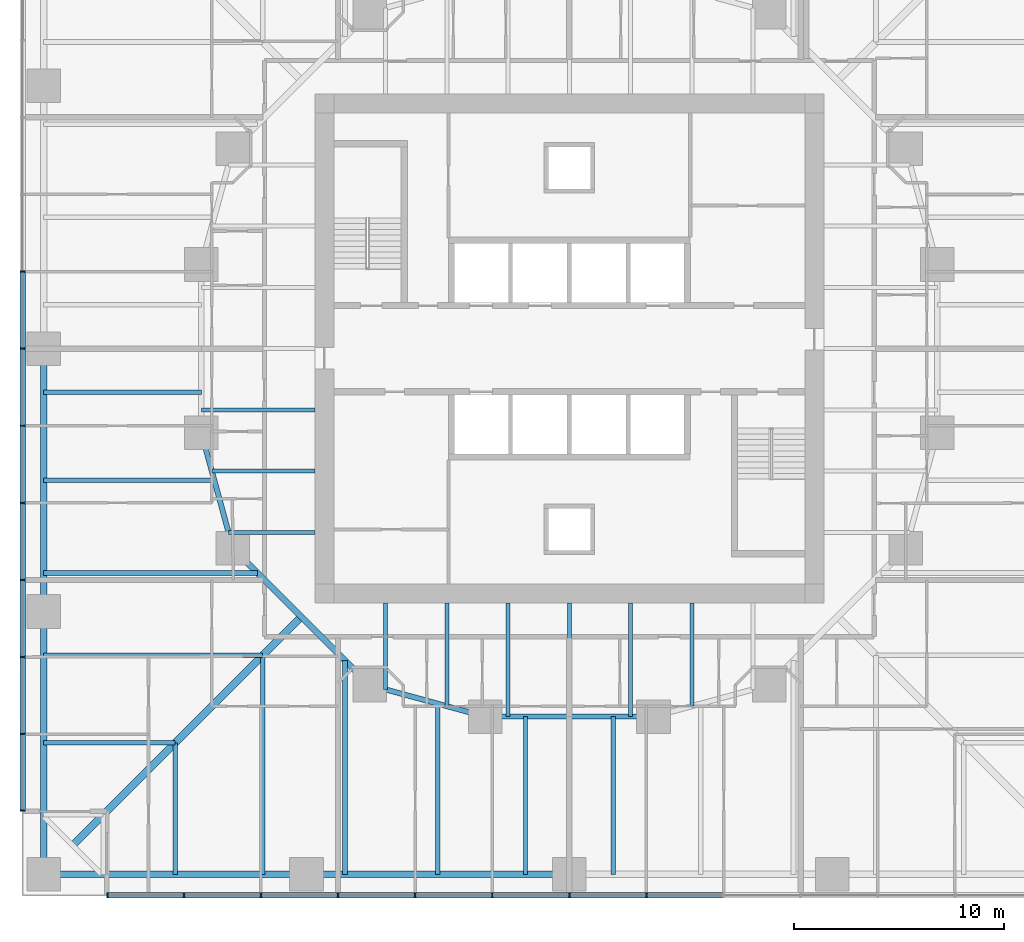
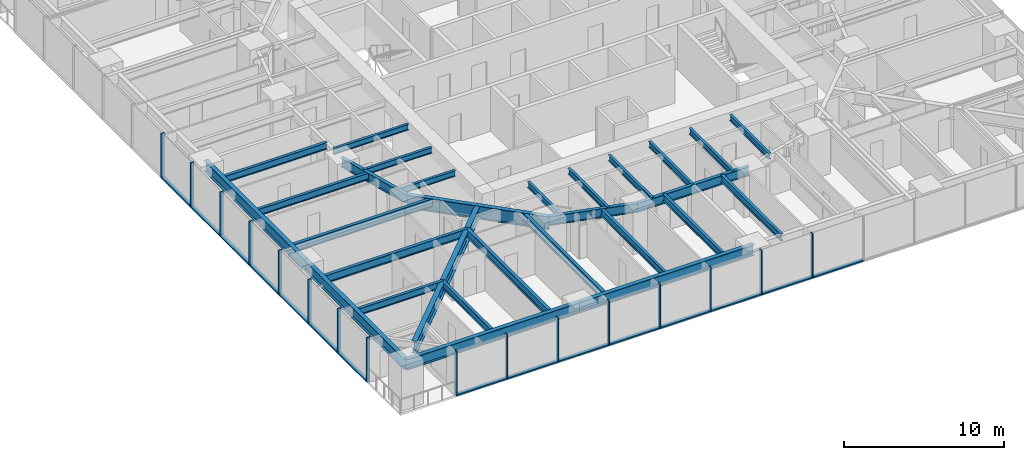
# One storey, part 2 of 17: 31 members, 29 beams, 2 elements without a shape of their own.
"""IFC4 building model written with IfcOpenShell, lengths in metres."""

from ifc_helpers import new_model, si_unit, direction, frame, origin, origin_2d, place, context, subcontext, project, spatial, rectangle, i_section, extrude, material, material_profile, profile_set, type_object, element, aggregate, save


model = new_model("IFC4")

# Units and contexts
model_context = context("Model", 3, precision=1e-05, world=origin(), true_north=direction((0.0, 1.0)))
body_context = subcontext(model_context, "Body", "Model", "MODEL_VIEW")
ifc_project = project(units=[si_unit("LENGTHUNIT", "METRE"), si_unit("AREAUNIT", "SQUARE_METRE"), si_unit("VOLUMEUNIT", "CUBIC_METRE"), si_unit("PLANEANGLEUNIT", "RADIAN"), si_unit("MASSUNIT", "GRAM", prefix="KILO")], contexts=[model_context])

# Site, building, storey
site_placement = place(None, origin())
site = spatial("IfcSite", under=ifc_project, at=site_placement, CompositionType="ELEMENT")
building_placement = place(site_placement, origin())
building = spatial("IfcBuilding", under=site, at=building_placement, Name="Torsade Residences", CompositionType="ELEMENT")
storey_placement = place(building_placement, frame((0.0, 0.0, 21.800048828125)))
storey = spatial("IfcBuildingStorey", under=building, at=storey_placement, Name="L05", CompositionType="ELEMENT", Elevation=21.800048828125)

# Beam
ifc_material_1 = material(Name="Steel grade 300", Category="steel")
ifc_material_profile_1 = material_profile(ifc_material_1, i_section(OverallWidth=0.35009765625, OverallDepth=0.909912109375, WebThickness=0.011962890625, FlangeThickness=0.02490234375, at=origin_2d()), Name="900WB218")
ifc_profile_set_1 = profile_set([ifc_material_profile_1], Name="Steel grade 300")
beam_type_1 = type_object("IfcBeamType", Name="CORNER GIRDER 900WB218", PredefinedType="BEAM", material=ifc_profile_set_1)
beam_1_placement = place(storey_placement, frame((16.375, 6.375, 2.794921875), z_axis=(0.707106781187, 0.707106781187, 0.0), x_axis=(-0.707106781187, 0.707106781187, 0.0)))
element("IfcBeam", 1, at=beam_1_placement, inside=storey, type_object=beam_type_1, Name="Corner girder 01 L06", PredefinedType="BEAM", context=body_context, shape_type="SweptSolid", body=[
    extrude(i_section(OverallWidth=0.35009765625, OverallDepth=0.909912109375, WebThickness=0.011962890625, FlangeThickness=0.02490234375, at=origin_2d()), origin(), (0.0, 0.0, 1.0), 15.379638671875),
])

# Curtain wall, members
ifc_material_2 = material(Name="Aluminium and glass", Category="aluminium")
curtain_wall_type = type_object("IfcCurtainWallType", Name="FRITTED GLASS CURTAIN WALL LOW ZONE", PredefinedType="NOTDEFINED", material=ifc_material_2)
curtain_wall_1_placement = place(storey_placement, origin())
curtain_wall_1 = element("IfcCurtainWall", 2, at=curtain_wall_1_placement, inside=storey, type_object=curtain_wall_type, Name="Curtain wall L05 face 1", PredefinedType="NOTDEFINED")
ifc_material_3 = material(Name="Aluminium mullion", Category="aluminium")
ifc_material_profile_2 = material_profile(ifc_material_3, rectangle(XDim=0.25, YDim=0.06494140625, at=origin_2d()), Name="CURTAIN WALL MULLION 250x65")
ifc_profile_set_2 = profile_set([ifc_material_profile_2], Name="Aluminium mullion")
member_type_1 = type_object("IfcMemberType", Name="CURTAIN WALL MULLION 250x65", PredefinedType="MULLION", material=ifc_profile_set_2)
member_1_placement = place(storey_placement, frame((18.032470703125, 4.0, 0.0), z_axis=(0.0, 0.0, 1.0), x_axis=(0.0, 1.0, 0.0)))
member_1 = element("IfcMember", 3, at=member_1_placement, type_object=member_type_1, Name="Mullion 1", PredefinedType="MULLION", context=body_context, shape_type="SweptSolid", body=[
    extrude(rectangle(XDim=0.25, YDim=0.06494140625, at=origin_2d()), origin(), (0.0, 0.0, 1.0), 3.39990234375),
])
member_2_placement = place(storey_placement, frame((21.666748046875, 4.0, 0.0), z_axis=(0.0, 0.0, 1.0), x_axis=(0.0, 1.0, 0.0)))
member_2 = element("IfcMember", 4, at=member_2_placement, type_object=member_type_1, Name="Mullion 2", PredefinedType="MULLION", context=body_context, shape_type="SweptSolid", body=[
    extrude(rectangle(XDim=0.25, YDim=0.06494140625, at=origin_2d()), origin(), (0.0, 0.0, 1.0), 3.39990234375),
])
member_3_placement = place(storey_placement, frame((25.333251953125, 4.0, 0.0), z_axis=(0.0, 0.0, 1.0), x_axis=(0.0, 1.0, 0.0)))
member_3 = element("IfcMember", 5, at=member_3_placement, type_object=member_type_1, Name="Mullion 3", PredefinedType="MULLION", context=body_context, shape_type="SweptSolid", body=[
    extrude(rectangle(XDim=0.25, YDim=0.06494140625, at=origin_2d()), origin(), (0.0, 0.0, 1.0), 3.39990234375),
])
member_4_placement = place(storey_placement, frame((29.0, 4.0, 0.0), z_axis=(0.0, 0.0, 1.0), x_axis=(0.0, 1.0, 0.0)))
member_4 = element("IfcMember", 6, at=member_4_placement, type_object=member_type_1, Name="Mullion 4", PredefinedType="MULLION", context=body_context, shape_type="SweptSolid", body=[
    extrude(rectangle(XDim=0.25, YDim=0.06494140625, at=origin_2d()), origin(), (0.0, 0.0, 1.0), 3.39990234375),
])
member_5_placement = place(storey_placement, frame((32.666748046875, 4.0, 0.0), z_axis=(0.0, 0.0, 1.0), x_axis=(0.0, 1.0, 0.0)))
member_5 = element("IfcMember", 7, at=member_5_placement, type_object=member_type_1, Name="Mullion 5", PredefinedType="MULLION", context=body_context, shape_type="SweptSolid", body=[
    extrude(rectangle(XDim=0.25, YDim=0.06494140625, at=origin_2d()), origin(), (0.0, 0.0, 1.0), 3.39990234375),
])
member_6_placement = place(storey_placement, frame((36.333251953125, 4.0, 0.0), z_axis=(0.0, 0.0, 1.0), x_axis=(0.0, 1.0, 0.0)))
member_6 = element("IfcMember", 8, at=member_6_placement, type_object=member_type_1, Name="Mullion 6", PredefinedType="MULLION", context=body_context, shape_type="SweptSolid", body=[
    extrude(rectangle(XDim=0.25, YDim=0.06494140625, at=origin_2d()), origin(), (0.0, 0.0, 1.0), 3.39990234375),
])
member_7_placement = place(storey_placement, frame((40.0, 4.0, 0.0), z_axis=(0.0, 0.0, 1.0), x_axis=(0.0, 1.0, 0.0)))
member_7 = element("IfcMember", 9, at=member_7_placement, type_object=member_type_1, Name="Mullion 7", PredefinedType="MULLION", context=body_context, shape_type="SweptSolid", body=[
    extrude(rectangle(XDim=0.25, YDim=0.06494140625, at=origin_2d()), origin(), (0.0, 0.0, 1.0), 3.39990234375),
])
member_8_placement = place(storey_placement, frame((43.666748046875, 4.0, 0.0), z_axis=(0.0, 0.0, 1.0), x_axis=(0.0, 1.0, 0.0)))
member_8 = element("IfcMember", 10, at=member_8_placement, type_object=member_type_1, Name="Mullion 8", PredefinedType="MULLION", context=body_context, shape_type="SweptSolid", body=[
    extrude(rectangle(XDim=0.25, YDim=0.06494140625, at=origin_2d()), origin(), (0.0, 0.0, 1.0), 3.39990234375),
])

curtain_wall_2_placement = place(storey_placement, origin())
curtain_wall_2 = element("IfcCurtainWall", 11, at=curtain_wall_2_placement, inside=storey, type_object=curtain_wall_type, Name="Curtain wall L05 face 10", PredefinedType="NOTDEFINED")
member_9_placement = place(storey_placement, frame((14.0, 33.666748046875, 0.0), z_axis=(0.0, 0.0, 1.0), x_axis=(1.0, 0.0, 0.0)))
member_9 = element("IfcMember", 12, at=member_9_placement, type_object=member_type_1, Name="Mullion 6", PredefinedType="MULLION", context=body_context, shape_type="SweptSolid", body=[
    extrude(rectangle(XDim=0.25, YDim=0.06494140625, at=origin_2d()), origin(), (0.0, 0.0, 1.0), 3.39990234375),
])
member_10_placement = place(storey_placement, frame((14.0, 30.0, 0.0), z_axis=(0.0, 0.0, 1.0), x_axis=(1.0, 0.0, 0.0)))
member_10 = element("IfcMember", 13, at=member_10_placement, type_object=member_type_1, Name="Mullion 7", PredefinedType="MULLION", context=body_context, shape_type="SweptSolid", body=[
    extrude(rectangle(XDim=0.25, YDim=0.06494140625, at=origin_2d()), origin(), (0.0, 0.0, 1.0), 3.39990234375),
])
member_11_placement = place(storey_placement, frame((14.0, 26.333251953125, 0.0), z_axis=(0.0, 0.0, 1.0), x_axis=(1.0, 0.0, 0.0)))
member_11 = element("IfcMember", 14, at=member_11_placement, type_object=member_type_1, Name="Mullion 8", PredefinedType="MULLION", context=body_context, shape_type="SweptSolid", body=[
    extrude(rectangle(XDim=0.25, YDim=0.06494140625, at=origin_2d()), origin(), (0.0, 0.0, 1.0), 3.39990234375),
])
member_12_placement = place(storey_placement, frame((14.0, 22.666748046875, 0.0), z_axis=(0.0, 0.0, 1.0), x_axis=(1.0, 0.0, 0.0)))
member_12 = element("IfcMember", 15, at=member_12_placement, type_object=member_type_1, Name="Mullion 9", PredefinedType="MULLION", context=body_context, shape_type="SweptSolid", body=[
    extrude(rectangle(XDim=0.25, YDim=0.06494140625, at=origin_2d()), origin(), (0.0, 0.0, 1.0), 3.39990234375),
])
member_13_placement = place(storey_placement, frame((14.0, 19.0, 0.0), z_axis=(0.0, 0.0, 1.0), x_axis=(1.0, 0.0, 0.0)))
member_13 = element("IfcMember", 16, at=member_13_placement, type_object=member_type_1, Name="Mullion 10", PredefinedType="MULLION", context=body_context, shape_type="SweptSolid", body=[
    extrude(rectangle(XDim=0.25, YDim=0.06494140625, at=origin_2d()), origin(), (0.0, 0.0, 1.0), 3.39990234375),
])
member_14_placement = place(storey_placement, frame((14.0, 15.333251953125, 0.0), z_axis=(0.0, 0.0, 1.0), x_axis=(1.0, 0.0, 0.0)))
member_14 = element("IfcMember", 17, at=member_14_placement, type_object=member_type_1, Name="Mullion 11", PredefinedType="MULLION", context=body_context, shape_type="SweptSolid", body=[
    extrude(rectangle(XDim=0.25, YDim=0.06494140625, at=origin_2d()), origin(), (0.0, 0.0, 1.0), 3.39990234375),
])
member_15_placement = place(storey_placement, frame((14.0, 11.666748046875, 0.0), z_axis=(0.0, 0.0, 1.0), x_axis=(1.0, 0.0, 0.0)))
member_15 = element("IfcMember", 18, at=member_15_placement, type_object=member_type_1, Name="Mullion 12", PredefinedType="MULLION", context=body_context, shape_type="SweptSolid", body=[
    extrude(rectangle(XDim=0.25, YDim=0.06494140625, at=origin_2d()), origin(), (0.0, 0.0, 1.0), 3.39990234375),
])
member_16_placement = place(storey_placement, frame((14.0, 8.032470703125, 0.0), z_axis=(0.0, 0.0, 1.0), x_axis=(1.0, 0.0, 0.0)))
member_16 = element("IfcMember", 19, at=member_16_placement, type_object=member_type_1, Name="Mullion 13", PredefinedType="MULLION", context=body_context, shape_type="SweptSolid", body=[
    extrude(rectangle(XDim=0.25, YDim=0.06494140625, at=origin_2d()), origin(), (0.0, 0.0, 1.0), 3.39990234375),
])

# Member
ifc_material_4 = material(Name="Aluminium transom", Category="aluminium")
ifc_material_profile_3 = material_profile(ifc_material_4, rectangle(XDim=0.25, YDim=0.10009765625, at=origin_2d()), Name="CURTAIN WALL TRANSOM 250x100")
ifc_profile_set_3 = profile_set([ifc_material_profile_3], Name="Aluminium transom")
member_type_2 = type_object("IfcMemberType", Name="CURTAIN WALL TRANSOM 250x100", PredefinedType="USERDEFINED", material=ifc_profile_set_3)
member_17_placement = place(storey_placement, frame((18.06494140625, 4.0, 0.050048828125), z_axis=(1.0, 0.0, 0.0), x_axis=(0.0, 1.0, 0.0)))
member_17 = element("IfcMember", 20, at=member_17_placement, type_object=member_type_2, Name="Transom 1.1", ObjectType="TRANSOM", PredefinedType="USERDEFINED", context=body_context, shape_type="SweptSolid", body=[
    extrude(rectangle(XDim=0.25, YDim=0.10009765625, at=origin_2d()), origin(), (0.0, 0.0, 1.0), 3.5693359375),
])

member_18_placement = place(storey_placement, frame((21.69921875, 4.0, 0.050048828125), z_axis=(1.0, 0.0, 0.0), x_axis=(0.0, 1.0, 0.0)))
member_18 = element("IfcMember", 21, at=member_18_placement, type_object=member_type_2, Name="Transom 2.1", ObjectType="TRANSOM", PredefinedType="USERDEFINED", context=body_context, shape_type="SweptSolid", body=[
    extrude(rectangle(XDim=0.25, YDim=0.10009765625, at=origin_2d()), origin(), (0.0, 0.0, 1.0), 3.6015625),
])

member_19_placement = place(storey_placement, frame((25.36572265625, 4.0, 0.050048828125), z_axis=(1.0, 0.0, 0.0), x_axis=(0.0, 1.0, 0.0)))
member_19 = element("IfcMember", 22, at=member_19_placement, type_object=member_type_2, Name="Transom 3.1", ObjectType="TRANSOM", PredefinedType="USERDEFINED", context=body_context, shape_type="SweptSolid", body=[
    extrude(rectangle(XDim=0.25, YDim=0.10009765625, at=origin_2d()), origin(), (0.0, 0.0, 1.0), 3.601806640625),
])

member_20_placement = place(storey_placement, frame((29.032470703125, 4.0, 0.050048828125), z_axis=(1.0, 0.0, 0.0), x_axis=(0.0, 1.0, 0.0)))
member_20 = element("IfcMember", 23, at=member_20_placement, type_object=member_type_2, Name="Transom 4.1", ObjectType="TRANSOM", PredefinedType="USERDEFINED", context=body_context, shape_type="SweptSolid", body=[
    extrude(rectangle(XDim=0.25, YDim=0.10009765625, at=origin_2d()), origin(), (0.0, 0.0, 1.0), 3.601806640625),
])

member_21_placement = place(storey_placement, frame((32.69921875, 4.0, 0.050048828125), z_axis=(1.0, 0.0, 0.0), x_axis=(0.0, 1.0, 0.0)))
member_21 = element("IfcMember", 24, at=member_21_placement, type_object=member_type_2, Name="Transom 5.1", ObjectType="TRANSOM", PredefinedType="USERDEFINED", context=body_context, shape_type="SweptSolid", body=[
    extrude(rectangle(XDim=0.25, YDim=0.10009765625, at=origin_2d()), origin(), (0.0, 0.0, 1.0), 3.6015625),
])

member_22_placement = place(storey_placement, frame((36.36572265625, 4.0, 0.050048828125), z_axis=(1.0, 0.0, 0.0), x_axis=(0.0, 1.0, 0.0)))
member_22 = element("IfcMember", 25, at=member_22_placement, type_object=member_type_2, Name="Transom 6.1", ObjectType="TRANSOM", PredefinedType="USERDEFINED", context=body_context, shape_type="SweptSolid", body=[
    extrude(rectangle(XDim=0.25, YDim=0.10009765625, at=origin_2d()), origin(), (0.0, 0.0, 1.0), 3.601806640625),
])

member_23_placement = place(storey_placement, frame((40.032470703125, 4.0, 0.050048828125), z_axis=(1.0, 0.0, 0.0), x_axis=(0.0, 1.0, 0.0)))
member_23 = element("IfcMember", 26, at=member_23_placement, type_object=member_type_2, Name="Transom 7.1", ObjectType="TRANSOM", PredefinedType="USERDEFINED", context=body_context, shape_type="SweptSolid", body=[
    extrude(rectangle(XDim=0.25, YDim=0.10009765625, at=origin_2d()), origin(), (0.0, 0.0, 1.0), 3.601806640625),
])

member_24_placement = place(storey_placement, frame((43.69921875, 4.0, 0.050048828125), z_axis=(1.0, 0.0, 0.0), x_axis=(0.0, 1.0, 0.0)))
member_24 = element("IfcMember", 27, at=member_24_placement, type_object=member_type_2, Name="Transom 8.1", ObjectType="TRANSOM", PredefinedType="USERDEFINED", context=body_context, shape_type="SweptSolid", body=[
    extrude(rectangle(XDim=0.25, YDim=0.10009765625, at=origin_2d()), origin(), (0.0, 0.0, 1.0), 3.6015625),
])

aggregate(curtain_wall_1, [member_1, member_2, member_3, member_4, member_5, member_6, member_7, member_8, member_17, member_18, member_19, member_20, member_21, member_22, member_23, member_24])

member_25_placement = place(storey_placement, frame((14.0, 33.63427734375, 0.050048828125), z_axis=(0.0, -1.0, 0.0), x_axis=(1.0, 0.0, 0.0)))
member_25 = element("IfcMember", 28, at=member_25_placement, type_object=member_type_2, Name="Transom 6.1", ObjectType="TRANSOM", PredefinedType="USERDEFINED", context=body_context, shape_type="SweptSolid", body=[
    extrude(rectangle(XDim=0.25, YDim=0.10009765625, at=origin_2d()), origin(), (0.0, 0.0, 1.0), 3.601806640625),
])

member_26_placement = place(storey_placement, frame((14.0, 29.967529296875, 0.050048828125), z_axis=(0.0, -1.0, 0.0), x_axis=(1.0, 0.0, 0.0)))
member_26 = element("IfcMember", 29, at=member_26_placement, type_object=member_type_2, Name="Transom 7.1", ObjectType="TRANSOM", PredefinedType="USERDEFINED", context=body_context, shape_type="SweptSolid", body=[
    extrude(rectangle(XDim=0.25, YDim=0.10009765625, at=origin_2d()), origin(), (0.0, 0.0, 1.0), 3.601806640625),
])

member_27_placement = place(storey_placement, frame((14.0, 26.30078125, 0.050048828125), z_axis=(0.0, -1.0, 0.0), x_axis=(1.0, 0.0, 0.0)))
member_27 = element("IfcMember", 30, at=member_27_placement, type_object=member_type_2, Name="Transom 8.1", ObjectType="TRANSOM", PredefinedType="USERDEFINED", context=body_context, shape_type="SweptSolid", body=[
    extrude(rectangle(XDim=0.25, YDim=0.10009765625, at=origin_2d()), origin(), (0.0, 0.0, 1.0), 3.6015625),
])

member_28_placement = place(storey_placement, frame((14.0, 22.63427734375, 0.050048828125), z_axis=(0.0, -1.0, 0.0), x_axis=(1.0, 0.0, 0.0)))
member_28 = element("IfcMember", 31, at=member_28_placement, type_object=member_type_2, Name="Transom 9.1", ObjectType="TRANSOM", PredefinedType="USERDEFINED", context=body_context, shape_type="SweptSolid", body=[
    extrude(rectangle(XDim=0.25, YDim=0.10009765625, at=origin_2d()), origin(), (0.0, 0.0, 1.0), 3.601806640625),
])

member_29_placement = place(storey_placement, frame((14.0, 18.967529296875, 0.050048828125), z_axis=(0.0, -1.0, 0.0), x_axis=(1.0, 0.0, 0.0)))
member_29 = element("IfcMember", 32, at=member_29_placement, type_object=member_type_2, Name="Transom 10.1", ObjectType="TRANSOM", PredefinedType="USERDEFINED", context=body_context, shape_type="SweptSolid", body=[
    extrude(rectangle(XDim=0.25, YDim=0.10009765625, at=origin_2d()), origin(), (0.0, 0.0, 1.0), 3.601806640625),
])

member_30_placement = place(storey_placement, frame((14.0, 15.30078125, 0.050048828125), z_axis=(0.0, -1.0, 0.0), x_axis=(1.0, 0.0, 0.0)))
member_30 = element("IfcMember", 33, at=member_30_placement, type_object=member_type_2, Name="Transom 11.1", ObjectType="TRANSOM", PredefinedType="USERDEFINED", context=body_context, shape_type="SweptSolid", body=[
    extrude(rectangle(XDim=0.25, YDim=0.10009765625, at=origin_2d()), origin(), (0.0, 0.0, 1.0), 3.6015625),
])

member_31_placement = place(storey_placement, frame((14.0, 11.63427734375, 0.050048828125), z_axis=(0.0, -1.0, 0.0), x_axis=(1.0, 0.0, 0.0)))
member_31 = element("IfcMember", 34, at=member_31_placement, type_object=member_type_2, Name="Transom 12.1", ObjectType="TRANSOM", PredefinedType="USERDEFINED", context=body_context, shape_type="SweptSolid", body=[
    extrude(rectangle(XDim=0.25, YDim=0.10009765625, at=origin_2d()), origin(), (0.0, 0.0, 1.0), 3.5693359375),
])

aggregate(curtain_wall_2, [member_9, member_10, member_11, member_12, member_13, member_14, member_15, member_16, member_25, member_26, member_27, member_28, member_29, member_30, member_31])

# Beams
ifc_material_5 = material(Name="Steel grade 300", Category="steel")
ifc_material_profile_4 = material_profile(ifc_material_5, i_section(OverallWidth=0.300048828125, OverallDepth=0.81591796875, WebThickness=0.010009765625, FlangeThickness=0.028076171875, at=origin_2d()), Name="800WB192")
ifc_profile_set_4 = profile_set([ifc_material_profile_4], Name="Steel grade 300")
beam_type_2 = type_object("IfcBeamType", Name="EDGE BEAM 800WB192", PredefinedType="SPANDREL", material=ifc_profile_set_4)
for number, where, z_axis, x_axis, name in (
    (35, (15.0, 5.0, 2.842041015625), (1.0, 0.0, 0.0), (0.0, 1.0, 0.0), "Edge beam 01 L06"),
    (36, (27.5, 5.0, 2.842041015625), (1.0, 0.0, 0.0), (0.0, 1.0, 0.0), "Edge beam 02 L06"),
    (37, (15.0, 30.0, 2.842041015625), (0.0, -1.0, 0.0), (1.0, 0.0, 0.0), "Edge beam 15 L06"),
    (38, (15.0, 17.5, 2.842041015625), (0.0, -1.0, 0.0), (1.0, 0.0, 0.0), "Edge beam 16 L06"),
):
    element("IfcBeam", number, at=place(storey_placement, frame(where, z_axis=z_axis, x_axis=x_axis)), inside=storey, type_object=beam_type_2, Name=name, PredefinedType="SPANDREL", context=body_context, shape_type="SweptSolid", body=[
        extrude(i_section(OverallWidth=0.300048828125, OverallDepth=0.81591796875, WebThickness=0.010009765625, FlangeThickness=0.028076171875, at=origin_2d()), origin(), (0.0, 0.0, 1.0), 12.5),
    ])
ifc_material_6 = material(Name="Steel grade 300", Category="steel")
ifc_material_profile_5 = material_profile(ifc_material_6, i_section(OverallWidth=0.18994140625, OverallDepth=0.4541015625, WebThickness=0.008544921875, FlangeThickness=0.0126953125, FilletRadius=0.011474609375, at=origin_2d()), Name="460UB67.1")
ifc_profile_set_5 = profile_set([ifc_material_profile_5], Name="Steel grade 300")
beam_type_3 = type_object("IfcBeamType", Name="INNER FLOOR BEAM 460UB67.1", PredefinedType="JOIST", material=ifc_profile_set_5)
beam_2_placement = place(storey_placement, frame((45.824951171875, 17.89990234375, 3.02294921875), z_axis=(0.0, -1.0, 0.0), x_axis=(1.0, 0.0, 0.0)))
element("IfcBeam", 39, at=beam_2_placement, inside=storey, type_object=beam_type_3, Name="Inner floor beam IS02 L06", PredefinedType="JOIST", context=body_context, shape_type="SweptSolid", body=[
    extrude(i_section(OverallWidth=0.18994140625, OverallDepth=0.4541015625, WebThickness=0.008544921875, FlangeThickness=0.0126953125, FilletRadius=0.011474609375, at=origin_2d()), origin(), (0.0, 0.0, 1.0), 4.902099609375),
])
for number, where, z_axis, x_axis, name in (
    (40, (42.91259765625, 17.89990234375, 3.02294921875), (0.0, -1.0, 0.0), (1.0, 0.0, 0.0), "Inner floor beam IS03 L06"),
    (41, (40.0, 17.89990234375, 3.02294921875), (0.0, -1.0, 0.0), (1.0, 0.0, 0.0), "Inner floor beam IS04 L06"),
    (42, (37.08740234375, 17.89990234375, 3.02294921875), (0.0, -1.0, 0.0), (1.0, 0.0, 0.0), "Inner floor beam IS05 L06"),
):
    element("IfcBeam", number, at=place(storey_placement, frame(where, z_axis=z_axis, x_axis=x_axis)), inside=storey, type_object=beam_type_3, Name=name, PredefinedType="JOIST", context=body_context, shape_type="SweptSolid", body=[
        extrude(i_section(OverallWidth=0.18994140625, OverallDepth=0.4541015625, WebThickness=0.008544921875, FlangeThickness=0.0126953125, FilletRadius=0.011474609375, at=origin_2d()), origin(), (0.0, 0.0, 1.0), 5.39990234375),
    ])
beam_3_placement = place(storey_placement, frame((34.175048828125, 17.89990234375, 3.02294921875), z_axis=(0.0, -1.0, 0.0), x_axis=(1.0, 0.0, 0.0)))
element("IfcBeam", 43, at=beam_3_placement, inside=storey, type_object=beam_type_3, Name="Inner floor beam IS06 L06", PredefinedType="JOIST", context=body_context, shape_type="SweptSolid", body=[
    extrude(i_section(OverallWidth=0.18994140625, OverallDepth=0.4541015625, WebThickness=0.008544921875, FlangeThickness=0.0126953125, FilletRadius=0.011474609375, at=origin_2d()), origin(), (0.0, 0.0, 1.0), 4.902099609375),
])
beam_4_placement = place(storey_placement, frame((31.262451171875, 17.89990234375, 3.02294921875), z_axis=(0.0, -1.0, 0.0), x_axis=(1.0, 0.0, 0.0)))
element("IfcBeam", 44, at=beam_4_placement, inside=storey, type_object=beam_type_3, Name="Inner floor beam IS07 L06", PredefinedType="JOIST", context=body_context, shape_type="SweptSolid", body=[
    extrude(i_section(OverallWidth=0.18994140625, OverallDepth=0.4541015625, WebThickness=0.008544921875, FlangeThickness=0.0126953125, FilletRadius=0.011474609375, at=origin_2d()), origin(), (0.0, 0.0, 1.0), 4.10791015625),
])
beam_5_placement = place(storey_placement, frame((27.89990234375, 27.08740234375, 3.02294921875), z_axis=(-1.0, 0.0, 0.0), x_axis=(0.0, -1.0, 0.0)))
element("IfcBeam", 45, at=beam_5_placement, inside=storey, type_object=beam_type_3, Name="Inner floor beam IW05 L06", PredefinedType="JOIST", context=body_context, shape_type="SweptSolid", body=[
    extrude(i_section(OverallWidth=0.18994140625, OverallDepth=0.4541015625, WebThickness=0.008544921875, FlangeThickness=0.0126953125, FilletRadius=0.011474609375, at=origin_2d()), origin(), (0.0, 0.0, 1.0), 5.39990234375),
])
beam_6_placement = place(storey_placement, frame((27.89990234375, 24.175048828125, 3.02294921875), z_axis=(-1.0, 0.0, 0.0), x_axis=(0.0, -1.0, 0.0)))
element("IfcBeam", 46, at=beam_6_placement, inside=storey, type_object=beam_type_3, Name="Inner floor beam IW06 L06", PredefinedType="JOIST", context=body_context, shape_type="SweptSolid", body=[
    extrude(i_section(OverallWidth=0.18994140625, OverallDepth=0.4541015625, WebThickness=0.008544921875, FlangeThickness=0.0126953125, FilletRadius=0.011474609375, at=origin_2d()), origin(), (0.0, 0.0, 1.0), 4.902099609375),
])
beam_7_placement = place(storey_placement, frame((27.89990234375, 21.262451171875, 3.02294921875), z_axis=(-1.0, 0.0, 0.0), x_axis=(0.0, -1.0, 0.0)))
element("IfcBeam", 47, at=beam_7_placement, inside=storey, type_object=beam_type_3, Name="Inner floor beam IW07 L06", PredefinedType="JOIST", context=body_context, shape_type="SweptSolid", body=[
    extrude(i_section(OverallWidth=0.18994140625, OverallDepth=0.4541015625, WebThickness=0.008544921875, FlangeThickness=0.0126953125, FilletRadius=0.011474609375, at=origin_2d()), origin(), (0.0, 0.0, 1.0), 4.10791015625),
])
ifc_material_7 = material(Name="Steel grade 300", Category="steel")
ifc_material_profile_6 = material_profile(ifc_material_7, i_section(OverallWidth=0.300048828125, OverallDepth=1.0, WebThickness=0.01611328125, FlangeThickness=0.028076171875, at=origin_2d()), Name="1000WB215")
ifc_profile_set_6 = profile_set([ifc_material_profile_6], Name="Steel grade 300")
beam_type_4 = type_object("IfcBeamType", Name="RING CORNER GIRDER 1000WB215", PredefinedType="BEAM", material=ifc_profile_set_6)
beam_8_placement = place(storey_placement, frame((24.0, 20.5, 2.75), z_axis=(0.707106781187, -0.707106781187, 0.0), x_axis=(0.707106781187, 0.707106781187, 0.0)))
element("IfcBeam", 48, at=beam_8_placement, inside=storey, type_object=beam_type_4, Name="Ring girder IR11 L06", PredefinedType="BEAM", context=body_context, shape_type="SweptSolid", body=[
    extrude(i_section(OverallWidth=0.300048828125, OverallDepth=1.0, WebThickness=0.01611328125, FlangeThickness=0.028076171875, at=origin_2d()), origin(), (0.0, 0.0, 1.0), 9.1923828125),
])
ifc_material_8 = material(Name="Steel grade 300", Category="steel")
ifc_material_profile_7 = material_profile(ifc_material_8, i_section(OverallWidth=0.25, OverallDepth=0.699951171875, WebThickness=0.010009765625, FlangeThickness=0.02001953125, at=origin_2d()), Name="700WB130")
ifc_profile_set_7 = profile_set([ifc_material_profile_7], Name="Steel grade 300")
beam_type_5 = type_object("IfcBeamType", Name="RING GIRDER 700WB130", PredefinedType="BEAM", material=ifc_profile_set_7)
for number, where, z_axis, x_axis, name in (
    (49, (22.5, 26.0, 2.89990234375), (0.263117405792, -0.964763821238, 0.0), (0.964763821238, 0.263117405792, 0.0), "Ring girder IR10 L06"),
    (50, (30.5, 14.0, 2.89990234375), (0.964763821238, -0.263117405792, 0.0), (0.263117405792, 0.964763821238, 0.0), "Ring girder IR12 L06"),
):
    element("IfcBeam", number, at=place(storey_placement, frame(where, z_axis=z_axis, x_axis=x_axis)), inside=storey, type_object=beam_type_5, Name=name, PredefinedType="BEAM", context=body_context, shape_type="SweptSolid", body=[
        extrude(i_section(OverallWidth=0.25, OverallDepth=0.699951171875, WebThickness=0.010009765625, FlangeThickness=0.02001953125, at=origin_2d()), origin(), (0.0, 0.0, 1.0), 5.700927734375),
    ])
beam_9_placement = place(storey_placement, frame((36.0, 12.5, 2.89990234375), z_axis=(1.0, 0.0, 0.0), x_axis=(0.0, 1.0, 0.0)))
element("IfcBeam", 51, at=beam_9_placement, inside=storey, type_object=beam_type_5, Name="Ring girder IR13 L06", PredefinedType="BEAM", context=body_context, shape_type="SweptSolid", body=[
    extrude(i_section(OverallWidth=0.25, OverallDepth=0.699951171875, WebThickness=0.010009765625, FlangeThickness=0.02001953125, at=origin_2d()), origin(), (0.0, 0.0, 1.0), 8.0),
])
ifc_material_9 = material(Name="Steel grade 300", Category="steel")
ifc_material_profile_8 = material_profile(ifc_material_9, i_section(OverallWidth=0.208984375, OverallDepth=0.528076171875, WebThickness=0.009521484375, FlangeThickness=0.01318359375, FilletRadius=0.013916015625, at=origin_2d()), Name="530UB82.0")
ifc_profile_set_8 = profile_set([ifc_material_profile_8], Name="Steel grade 300")
beam_type_6 = type_object("IfcBeamType", Name="SECONDARY BEAM 530UB82.0", PredefinedType="JOIST", material=ifc_profile_set_8)
beam_10_placement = place(storey_placement, frame((21.25, 5.0, 2.98583984375), z_axis=(0.0, 1.0, 0.0), x_axis=(-1.0, 0.0, 0.0)))
element("IfcBeam", 52, at=beam_10_placement, inside=storey, type_object=beam_type_6, Name="Floor beam FS02 L06", PredefinedType="JOIST", context=body_context, shape_type="SweptSolid", body=[
    extrude(i_section(OverallWidth=0.208984375, OverallDepth=0.528076171875, WebThickness=0.009521484375, FlangeThickness=0.01318359375, FilletRadius=0.013916015625, at=origin_2d()), origin(), (0.0, 0.0, 1.0), 6.25),
])
beam_11_placement = place(storey_placement, frame((33.75, 5.0, 2.98583984375), z_axis=(0.0, 1.0, 0.0), x_axis=(-1.0, 0.0, 0.0)))
element("IfcBeam", 53, at=beam_11_placement, inside=storey, type_object=beam_type_6, Name="Floor beam FS05 L06", PredefinedType="JOIST", context=body_context, shape_type="SweptSolid", body=[
    extrude(i_section(OverallWidth=0.208984375, OverallDepth=0.528076171875, WebThickness=0.009521484375, FlangeThickness=0.01318359375, FilletRadius=0.013916015625, at=origin_2d()), origin(), (0.0, 0.0, 1.0), 8.113525390625),
])
for number, where, z_axis, x_axis, name in (
    (54, (37.916748046875, 5.0, 2.98583984375), (0.0, 1.0, 0.0), (-1.0, 0.0, 0.0), "Floor beam FS06 L06"),
    (55, (42.083251953125, 5.0, 2.98583984375), (0.0, 1.0, 0.0), (-1.0, 0.0, 0.0), "Floor beam FS07 L06"),
    (56, (15.0, 27.916748046875, 2.98583984375), (1.0, 0.0, 0.0), (0.0, 1.0, 0.0), "Floor beam FW07 L06"),
):
    element("IfcBeam", number, at=place(storey_placement, frame(where, z_axis=z_axis, x_axis=x_axis)), inside=storey, type_object=beam_type_6, Name=name, PredefinedType="JOIST", context=body_context, shape_type="SweptSolid", body=[
        extrude(i_section(OverallWidth=0.208984375, OverallDepth=0.528076171875, WebThickness=0.009521484375, FlangeThickness=0.01318359375, FilletRadius=0.013916015625, at=origin_2d()), origin(), (0.0, 0.0, 1.0), 7.5),
    ])
beam_12_placement = place(storey_placement, frame((15.0, 23.75, 2.98583984375), z_axis=(1.0, 0.0, 0.0), x_axis=(0.0, 1.0, 0.0)))
element("IfcBeam", 57, at=beam_12_placement, inside=storey, type_object=beam_type_6, Name="Floor beam FW08 L06", PredefinedType="JOIST", context=body_context, shape_type="SweptSolid", body=[
    extrude(i_section(OverallWidth=0.208984375, OverallDepth=0.528076171875, WebThickness=0.009521484375, FlangeThickness=0.01318359375, FilletRadius=0.013916015625, at=origin_2d()), origin(), (0.0, 0.0, 1.0), 8.113525390625),
])
beam_13_placement = place(storey_placement, frame((15.0, 11.25, 2.98583984375), z_axis=(1.0, 0.0, 0.0), x_axis=(0.0, 1.0, 0.0)))
element("IfcBeam", 58, at=beam_13_placement, inside=storey, type_object=beam_type_6, Name="Floor beam FW11 L06", PredefinedType="JOIST", context=body_context, shape_type="SweptSolid", body=[
    extrude(i_section(OverallWidth=0.208984375, OverallDepth=0.528076171875, WebThickness=0.009521484375, FlangeThickness=0.01318359375, FilletRadius=0.013916015625, at=origin_2d()), origin(), (0.0, 0.0, 1.0), 6.25),
])
ifc_material_10 = material(Name="Steel grade 300", Category="steel")
ifc_material_profile_9 = material_profile(ifc_material_10, i_section(OverallWidth=0.22900390625, OverallDepth=0.612060546875, WebThickness=0.011962890625, FlangeThickness=0.01953125, FilletRadius=0.013916015625, at=origin_2d()), Name="610UB125")
ifc_profile_set_9 = profile_set([ifc_material_profile_9], Name="Steel grade 300")
beam_type_7 = type_object("IfcBeamType", Name="SECONDARY BEAM 610UB125", PredefinedType="JOIST", material=ifc_profile_set_9)
beam_14_placement = place(storey_placement, frame((25.416748046875, 5.0, 2.94384765625), z_axis=(0.0, 1.0, 0.0), x_axis=(-1.0, 0.0, 0.0)))
element("IfcBeam", 59, at=beam_14_placement, inside=storey, type_object=beam_type_7, Name="Floor beam FS03 L06", PredefinedType="JOIST", context=body_context, shape_type="SweptSolid", body=[
    extrude(i_section(OverallWidth=0.22900390625, OverallDepth=0.612060546875, WebThickness=0.011962890625, FlangeThickness=0.01953125, FilletRadius=0.013916015625, at=origin_2d()), origin(), (0.0, 0.0, 1.0), 10.416748046875),
])
for number, where, z_axis, x_axis, name in (
    (60, (29.333251953125, 5.0, 2.94384765625), (0.0, 1.0, 0.0), (-1.0, 0.0, 0.0), "Floor beam FS04 L06"),
    (61, (15.0, 19.333251953125, 2.94384765625), (1.0, 0.0, 0.0), (0.0, 1.0, 0.0), "Floor beam FW09 L06"),
):
    element("IfcBeam", number, at=place(storey_placement, frame(where, z_axis=z_axis, x_axis=x_axis)), inside=storey, type_object=beam_type_7, Name=name, PredefinedType="JOIST", context=body_context, shape_type="SweptSolid", body=[
        extrude(i_section(OverallWidth=0.22900390625, OverallDepth=0.612060546875, WebThickness=0.011962890625, FlangeThickness=0.01953125, FilletRadius=0.013916015625, at=origin_2d()), origin(), (0.0, 0.0, 1.0), 10.166748046875),
    ])
beam_15_placement = place(storey_placement, frame((15.0, 15.416748046875, 2.94384765625), z_axis=(1.0, 0.0, 0.0), x_axis=(0.0, 1.0, 0.0)))
element("IfcBeam", 62, at=beam_15_placement, inside=storey, type_object=beam_type_7, Name="Floor beam FW10 L06", PredefinedType="JOIST", context=body_context, shape_type="SweptSolid", body=[
    extrude(i_section(OverallWidth=0.22900390625, OverallDepth=0.612060546875, WebThickness=0.011962890625, FlangeThickness=0.01953125, FilletRadius=0.013916015625, at=origin_2d()), origin(), (0.0, 0.0, 1.0), 10.416748046875),
])

save(model, "model.ifc")
